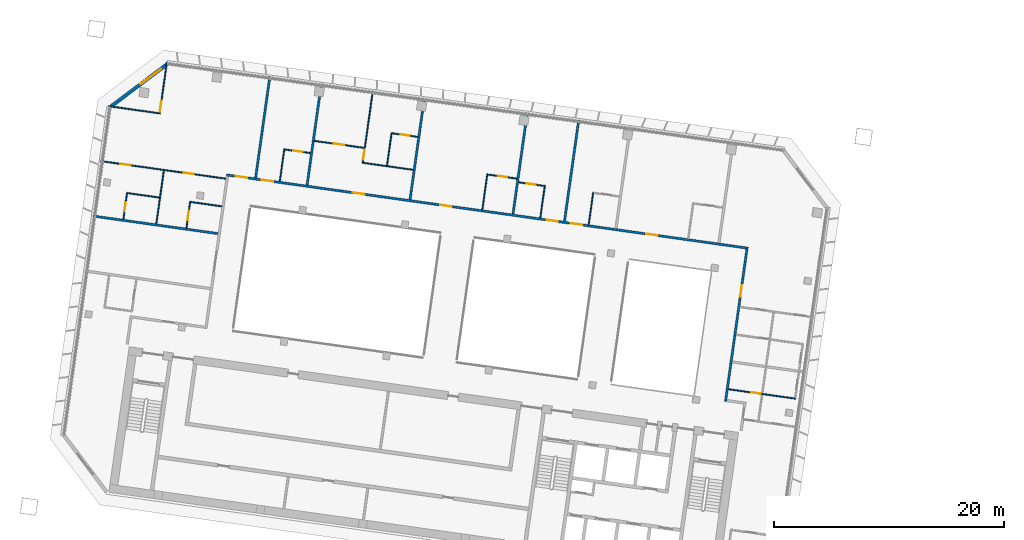
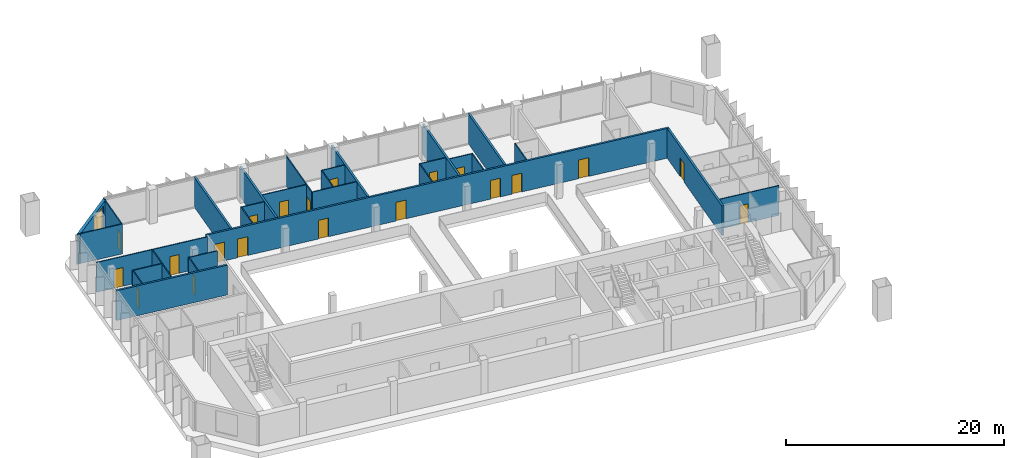
# One storey, part 17 of 26: 30 walls, 20 doors, 1 window, 21 openings.
"""IFC4 building model written with IfcOpenShell, lengths in metres."""

from ifc_helpers import new_model, si_unit, direction, frame, frame_2d, origin, place, context, subcontext, project, spatial, rectangle, extrude, material, layer, layer_set, type_object, element, fill, save


model = new_model("IFC4")

# Units and contexts
model_context = context("Model", 3, precision=1e-05, world=origin(), true_north=direction((0.0, 1.0)))
body_context = subcontext(model_context, "Body", "Model", "MODEL_VIEW")
ifc_project = project(units=[si_unit("LENGTHUNIT", "METRE"), si_unit("AREAUNIT", "SQUARE_METRE"), si_unit("VOLUMEUNIT", "CUBIC_METRE"), si_unit("PLANEANGLEUNIT", "RADIAN"), si_unit("MASSUNIT", "GRAM", prefix="KILO")], contexts=[model_context])

# Site, building, storey
site_placement = place(None, origin())
site = spatial("IfcSite", under=ifc_project, at=site_placement, CompositionType="ELEMENT")
building_placement = place(site_placement, origin())
building = spatial("IfcBuilding", under=site, at=building_placement, Name="Mirante Cascada Hotel Towers", CompositionType="ELEMENT")
storey_placement = place(building_placement, frame((0.0, 0.0, 168.8)))
storey = spatial("IfcBuildingStorey", under=building, at=storey_placement, Name="L39", CompositionType="ELEMENT", Elevation=168.8)

# Wall
ifc_material_1 = material(Name="Fire-rated plasterboard on metal studs")
ifc_layer_1 = layer(ifc_material_1, 0.2)
ifc_layer_set_1 = layer_set([ifc_layer_1], Name="Compartment wall 200 EI 120")
wall_type_1 = type_object("IfcWallType", Name="Compartment wall 200 EI 120", PredefinedType="PARTITIONING", material=ifc_layer_set_1)
wall_1_placement = place(storey_placement, frame((-91.7142, 11.5542, 0.0), z_axis=(0.0, 0.0, 1.0), x_axis=(0.990268, -0.1391733, 0.0)))
element("IfcWall", 1, at=wall_1_placement, inside=storey, type_object=wall_type_1, Name="Wall 1-L39-11", PredefinedType="PARTITIONING", context=body_context, shape_type="SweptSolid", body=[
    extrude(rectangle(XDim=11.0, YDim=0.2, at=frame_2d((5.5, 0.0))), origin(), (0.0, 0.0, 1.0), 3.35),
])

# Wall, openings, doors
wall_2_placement = place(storey_placement, frame((-80.1022, 15.1397, 0.0), z_axis=(0.0, 0.0, 1.0), x_axis=(0.9902679, -0.1391743, 0.0)))
wall_2 = element("IfcWall", 2, at=wall_2_placement, inside=storey, type_object=wall_type_1, Name="Wall 1-L39-15", PredefinedType="PARTITIONING", context=body_context, shape_type="SweptSolid", body=[
    extrude(rectangle(XDim=45.9, YDim=0.2, at=frame_2d((22.95, 0.0))), origin(), (0.0, 0.0, 1.0), 3.35),
])
opening_1_placement = place(wall_2_placement, frame((36.9314, 0.0, 0.0)))
opening_1 = element("IfcOpeningElement", 3, at=opening_1_placement, cuts=wall_2, Name="Opening D1-L39-11", PredefinedType="OPENING", context=body_context, shape_type="SweptSolid", body=[
    extrude(rectangle(XDim=1.0, YDim=2.1, at=frame_2d((0.5, 1.05))), frame((0.0, 0.1, 0.0), z_axis=(0.0, -1.0, 0.0), x_axis=(1.0, 0.0, 0.0)), (0.0, 0.0, 1.0), 0.2),
])
opening_2_placement = place(wall_2_placement, frame((30.2892, 0.0, 0.0)))
opening_2 = element("IfcOpeningElement", 4, at=opening_2_placement, cuts=wall_2, Name="Opening D1-L39-12", PredefinedType="OPENING", context=body_context, shape_type="SweptSolid", body=[
    extrude(rectangle(XDim=1.0, YDim=2.1, at=frame_2d((0.5, 1.05))), frame((0.0, 0.1, 0.0), z_axis=(0.0, -1.0, 0.0), x_axis=(1.0, 0.0, 0.0)), (0.0, 0.0, 1.0), 0.2),
])
opening_3_placement = place(wall_2_placement, frame((28.1611, 0.0, 0.0)))
opening_3 = element("IfcOpeningElement", 5, at=opening_3_placement, cuts=wall_2, Name="Opening D1-L39-13", PredefinedType="OPENING", context=body_context, shape_type="SweptSolid", body=[
    extrude(rectangle(XDim=1.0, YDim=2.1, at=frame_2d((0.5, 1.05))), frame((0.0, 0.1, 0.0), z_axis=(0.0, -1.0, 0.0), x_axis=(1.0, 0.0, 0.0)), (0.0, 0.0, 1.0), 0.2),
])
opening_4_placement = place(wall_2_placement, frame((18.8188, 0.0, 0.0)))
opening_4 = element("IfcOpeningElement", 6, at=opening_4_placement, cuts=wall_2, Name="Opening D1-L39-14", PredefinedType="OPENING", context=body_context, shape_type="SweptSolid", body=[
    extrude(rectangle(XDim=1.0, YDim=2.1, at=frame_2d((0.5, 1.05))), frame((0.0, 0.1, 0.0), z_axis=(0.0, -1.0, 0.0), x_axis=(1.0, 0.0, 0.0)), (0.0, 0.0, 1.0), 0.2),
])
opening_5_placement = place(wall_2_placement, frame((11.1125, 0.0, 0.0)))
opening_5 = element("IfcOpeningElement", 7, at=opening_5_placement, cuts=wall_2, Name="Opening D1-L39-15", PredefinedType="OPENING", context=body_context, shape_type="SweptSolid", body=[
    extrude(rectangle(XDim=1.0, YDim=2.1, at=frame_2d((0.5, 1.05))), frame((0.0, 0.1, 0.0), z_axis=(0.0, -1.0, 0.0), x_axis=(1.0, 0.0, 0.0)), (0.0, 0.0, 1.0), 0.2),
])
opening_6_placement = place(wall_2_placement, frame((3.1204, 0.0, 0.0)))
opening_6 = element("IfcOpeningElement", 8, at=opening_6_placement, cuts=wall_2, Name="Opening D1-L39-16", PredefinedType="OPENING", context=body_context, shape_type="SweptSolid", body=[
    extrude(rectangle(XDim=1.0, YDim=2.1, at=frame_2d((0.5, 1.05))), frame((0.0, 0.1, 0.0), z_axis=(0.0, -1.0, 0.0), x_axis=(1.0, 0.0, 0.0)), (0.0, 0.0, 1.0), 0.2),
])
opening_7_placement = place(wall_2_placement, frame((0.8282, 0.0, 0.0)))
opening_7 = element("IfcOpeningElement", 9, at=opening_7_placement, cuts=wall_2, Name="Opening D1-L39-17", PredefinedType="OPENING", context=body_context, shape_type="SweptSolid", body=[
    extrude(rectangle(XDim=1.0, YDim=2.1, at=frame_2d((0.5, 1.05))), frame((0.0, 0.1, 0.0), z_axis=(0.0, -1.0, 0.0), x_axis=(1.0, 0.0, 0.0)), (0.0, 0.0, 1.0), 0.2),
])
ifc_material_2 = material(Name="Fire-rated timber door leaf", Category="wood")
door_type_1 = type_object("IfcDoorType", Name="Entrance door DG1 1000x2100 EI 60", OperationType="SINGLE_SWING_LEFT", PredefinedType="DOOR", material=ifc_material_2)
door_1_placement = place(opening_1_placement, origin())
door_1 = element("IfcDoor", 10, at=door_1_placement, inside=storey, type_object=door_type_1, Name="Door D1-L39-11", OperationType="SINGLE_SWING_LEFT", OverallHeight=2.1, OverallWidth=1.0, PredefinedType="DOOR", context=body_context, shape_type="SweptSolid", body=[
    extrude(rectangle(XDim=1.0, YDim=2.1, at=frame_2d((0.5, 1.05))), frame((0.0, 0.025, 0.0), z_axis=(0.0, -1.0, 0.0), x_axis=(1.0, 0.0, 0.0)), (0.0, 0.0, 1.0), 0.05),
])
fill(opening_1, door_1)
door_2_placement = place(opening_2_placement, origin())
door_2 = element("IfcDoor", 11, at=door_2_placement, inside=storey, type_object=door_type_1, Name="Door D1-L39-12", OperationType="SINGLE_SWING_LEFT", OverallHeight=2.1, OverallWidth=1.0, PredefinedType="DOOR", context=body_context, shape_type="SweptSolid", body=[
    extrude(rectangle(XDim=1.0, YDim=2.1, at=frame_2d((0.5, 1.05))), frame((0.0, 0.025, 0.0), z_axis=(0.0, -1.0, 0.0), x_axis=(1.0, 0.0, 0.0)), (0.0, 0.0, 1.0), 0.05),
])
fill(opening_2, door_2)
door_3_placement = place(opening_3_placement, origin())
door_3 = element("IfcDoor", 12, at=door_3_placement, inside=storey, type_object=door_type_1, Name="Door D1-L39-13", OperationType="SINGLE_SWING_LEFT", OverallHeight=2.1, OverallWidth=1.0, PredefinedType="DOOR", context=body_context, shape_type="SweptSolid", body=[
    extrude(rectangle(XDim=1.0, YDim=2.1, at=frame_2d((0.5, 1.05))), frame((0.0, 0.025, 0.0), z_axis=(0.0, -1.0, 0.0), x_axis=(1.0, 0.0, 0.0)), (0.0, 0.0, 1.0), 0.05),
])
fill(opening_3, door_3)
door_4_placement = place(opening_4_placement, origin())
door_4 = element("IfcDoor", 13, at=door_4_placement, inside=storey, type_object=door_type_1, Name="Door D1-L39-14", OperationType="SINGLE_SWING_LEFT", OverallHeight=2.1, OverallWidth=1.0, PredefinedType="DOOR", context=body_context, shape_type="SweptSolid", body=[
    extrude(rectangle(XDim=1.0, YDim=2.1, at=frame_2d((0.5, 1.05))), frame((0.0, 0.025, 0.0), z_axis=(0.0, -1.0, 0.0), x_axis=(1.0, 0.0, 0.0)), (0.0, 0.0, 1.0), 0.05),
])
fill(opening_4, door_4)
door_5_placement = place(opening_5_placement, origin())
door_5 = element("IfcDoor", 14, at=door_5_placement, inside=storey, type_object=door_type_1, Name="Door D1-L39-15", OperationType="SINGLE_SWING_LEFT", OverallHeight=2.1, OverallWidth=1.0, PredefinedType="DOOR", context=body_context, shape_type="SweptSolid", body=[
    extrude(rectangle(XDim=1.0, YDim=2.1, at=frame_2d((0.5, 1.05))), frame((0.0, 0.025, 0.0), z_axis=(0.0, -1.0, 0.0), x_axis=(1.0, 0.0, 0.0)), (0.0, 0.0, 1.0), 0.05),
])
fill(opening_5, door_5)
door_6_placement = place(opening_6_placement, origin())
door_6 = element("IfcDoor", 15, at=door_6_placement, inside=storey, type_object=door_type_1, Name="Door D1-L39-16", OperationType="SINGLE_SWING_LEFT", OverallHeight=2.1, OverallWidth=1.0, PredefinedType="DOOR", context=body_context, shape_type="SweptSolid", body=[
    extrude(rectangle(XDim=1.0, YDim=2.1, at=frame_2d((0.5, 1.05))), frame((0.0, 0.025, 0.0), z_axis=(0.0, -1.0, 0.0), x_axis=(1.0, 0.0, 0.0)), (0.0, 0.0, 1.0), 0.05),
])
fill(opening_6, door_6)
door_7_placement = place(opening_7_placement, origin())
door_7 = element("IfcDoor", 16, at=door_7_placement, inside=storey, type_object=door_type_1, Name="Door D1-L39-17", OperationType="SINGLE_SWING_LEFT", OverallHeight=2.1, OverallWidth=1.0, PredefinedType="DOOR", context=body_context, shape_type="SweptSolid", body=[
    extrude(rectangle(XDim=1.0, YDim=2.1, at=frame_2d((0.5, 1.05))), frame((0.0, 0.025, 0.0), z_axis=(0.0, -1.0, 0.0), x_axis=(1.0, 0.0, 0.0)), (0.0, 0.0, 1.0), 0.05),
])
fill(opening_7, door_7)

# Wall, opening, door
wall_3_placement = place(storey_placement, frame((-34.7618, 8.6665, 0.0), z_axis=(0.0, 0.0, 1.0), x_axis=(-0.1391789, -0.9902673, 0.0)))
wall_3 = element("IfcWall", 17, at=wall_3_placement, inside=storey, type_object=wall_type_1, Name="Wall 1-L39-29", PredefinedType="PARTITIONING", context=body_context, shape_type="SweptSolid", body=[
    extrude(rectangle(XDim=13.4, YDim=0.2, at=frame_2d((6.7, 0.0))), origin(), (0.0, 0.0, 1.0), 3.35),
])
opening_8_placement = place(wall_3_placement, frame((3.1834, 0.0, 0.0)))
opening_8 = element("IfcOpeningElement", 18, at=opening_8_placement, cuts=wall_3, Name="Opening D1-L39-28", PredefinedType="OPENING", context=body_context, shape_type="SweptSolid", body=[
    extrude(rectangle(XDim=1.0, YDim=2.1, at=frame_2d((0.5, 1.05))), frame((0.0, 0.1, 0.0), z_axis=(0.0, -1.0, 0.0), x_axis=(1.0, 0.0, 0.0)), (0.0, 0.0, 1.0), 0.2),
])
door_8_placement = place(opening_8_placement, origin())
door_8 = element("IfcDoor", 19, at=door_8_placement, inside=storey, type_object=door_type_1, Name="Door D1-L39-28", OperationType="SINGLE_SWING_LEFT", OverallHeight=2.1, OverallWidth=1.0, PredefinedType="DOOR", context=body_context, shape_type="SweptSolid", body=[
    extrude(rectangle(XDim=1.0, YDim=2.1, at=frame_2d((0.5, 1.05))), frame((0.0, 0.025, 0.0), z_axis=(0.0, -1.0, 0.0), x_axis=(1.0, 0.0, 0.0)), (0.0, 0.0, 1.0), 0.05),
])
fill(opening_8, door_8)

# Walls
wall_4_placement = place(storey_placement, frame((-50.6525, 11.1018, 0.0), z_axis=(0.0, 0.0, 1.0), x_axis=(0.1391794, 0.9902672, 0.0)))
element("IfcWall", 20, at=wall_4_placement, inside=storey, type_object=wall_type_1, Name="Wall 1-L39-34", PredefinedType="PARTITIONING", context=body_context, shape_type="SweptSolid", body=[
    extrude(rectangle(XDim=8.9, YDim=0.2, at=frame_2d((4.45, 0.0))), origin(), (0.0, 0.0, 1.0), 3.35),
])
for number, where, z_axis, x_axis, name in (
    (21, (-55.1365, 11.732, 0.0), (0.0, 0.0, 1.0), (0.13917, 0.9902685, 0.0), "Wall 1-L39-36"),
    (22, (-64.1047, 12.9924, 0.0), (0.0, 0.0, 1.0), (0.139181, 0.990267, 0.0), "Wall 1-L39-38"),
    (23, (-71.8342, 23.0661, 0.0), (0.0, 0.0, 1.0), (-0.13917, -0.9902685, 0.0), "Wall 1-L39-41"),
):
    element("IfcWall", number, at=place(storey_placement, frame(where, z_axis=z_axis, x_axis=x_axis)), inside=storey, type_object=wall_type_1, Name=name, PredefinedType="PARTITIONING", context=body_context, shape_type="SweptSolid", body=[
        extrude(rectangle(XDim=8.8999, YDim=0.2, at=frame_2d((4.45, 0.0))), origin(), (0.0, 0.0, 1.0), 3.35),
    ])
wall_5_placement = place(storey_placement, frame((-76.3182, 23.6963, 0.0), z_axis=(0.0, 0.0, 1.0), x_axis=(-0.1391794, -0.9902672, 0.0)))
element("IfcWall", 24, at=wall_5_placement, inside=storey, type_object=wall_type_1, Name="Wall 1-L39-43", PredefinedType="PARTITIONING", context=body_context, shape_type="SweptSolid", body=[
    extrude(rectangle(XDim=8.9, YDim=0.2, at=frame_2d((4.45, 0.0))), origin(), (0.0, 0.0, 1.0), 3.35),
])

# Wall, opening, door
ifc_material_3 = material(Name="Plasterboard on metal studs")
ifc_layer_2 = layer(ifc_material_3, 0.1)
ifc_layer_set_2 = layer_set([ifc_layer_2], Name="Partition 100")
wall_type_2 = type_object("IfcWallType", Name="Partition 100", PredefinedType="PARTITIONING", material=ifc_layer_set_2)
wall_6_placement = place(storey_placement, frame((-30.5135, -4.3514, 0.0), z_axis=(0.0, 0.0, 1.0), x_axis=(-0.990269, 0.1391668, 0.0)))
wall_6 = element("IfcWall", 25, at=wall_6_placement, inside=storey, type_object=wall_type_2, Name="Wall 1-L39-06", PredefinedType="PARTITIONING", context=body_context, shape_type="SweptSolid", body=[
    extrude(rectangle(XDim=5.9188, YDim=0.1, at=frame_2d((2.9594, 0.0))), origin(), (0.0, 0.0, 1.0), 3.35),
])
opening_9_placement = place(wall_6_placement, frame((3.1, 0.0, 0.0)))
opening_9 = element("IfcOpeningElement", 26, at=opening_9_placement, cuts=wall_6, Name="Opening D1-L39-05", PredefinedType="OPENING", context=body_context, shape_type="SweptSolid", body=[
    extrude(rectangle(XDim=0.8, YDim=2.1, at=frame_2d((0.4, 1.05))), frame((0.0, 0.05, 0.0), z_axis=(0.0, -1.0, 0.0), x_axis=(1.0, 0.0, 0.0)), (0.0, 0.0, 1.0), 0.1),
])
ifc_material_4 = material(Name="Timber door leaf", Category="wood")
door_type_2 = type_object("IfcDoorType", Name="Bathroom door DG4 800x2100", OperationType="SINGLE_SWING_LEFT", PredefinedType="DOOR", material=ifc_material_4)
door_9_placement = place(opening_9_placement, frame((0.8, 0.0, 0.0), z_axis=(0.0, 0.0, 1.0), x_axis=(-1.0, 0.0, 0.0)))
door_9 = element("IfcDoor", 27, at=door_9_placement, inside=storey, type_object=door_type_2, Name="Door D1-L39-05", OperationType="SINGLE_SWING_RIGHT", OverallHeight=2.1, OverallWidth=0.8, PredefinedType="DOOR", context=body_context, shape_type="SweptSolid", body=[
    extrude(rectangle(XDim=0.8, YDim=2.1, at=frame_2d((0.4, 1.05))), frame((0.0, 0.025, 0.0), z_axis=(0.0, -1.0, 0.0), x_axis=(1.0, 0.0, 0.0)), (0.0, 0.0, 1.0), 0.05),
])
fill(opening_9, door_9)

# Walls
wall_7_placement = place(storey_placement, frame((-80.4873, 12.3999, 0.0), z_axis=(0.0, 0.0, 1.0), x_axis=(-0.9902649, 0.1391957, 0.0)))
element("IfcWall", 28, at=wall_7_placement, inside=storey, type_object=wall_type_2, Name="Wall 1-L39-12", PredefinedType="PARTITIONING", context=body_context, shape_type="SweptSolid", body=[
    extrude(rectangle(XDim=2.8499, YDim=0.1, at=frame_2d((1.425, 0.0))), origin(), (0.0, 0.0, 1.0), 3.35),
])
wall_8_placement = place(storey_placement, frame((-88.8055, 13.569, 0.0), z_axis=(0.0, 0.0, 1.0), x_axis=(0.9902683, -0.1391714, 0.0)))
element("IfcWall", 29, at=wall_8_placement, inside=storey, type_object=wall_type_2, Name="Wall 1-L39-13", PredefinedType="PARTITIONING", context=body_context, shape_type="SweptSolid", body=[
    extrude(rectangle(XDim=2.9, YDim=0.1, at=frame_2d((1.45, 0.0))), origin(), (0.0, 0.0, 1.0), 3.35),
])

# Wall, openings, doors
wall_9_placement = place(storey_placement, frame((-80.1486, 14.8096, 0.0), z_axis=(0.0, 0.0, 1.0), x_axis=(-0.990268, 0.1391733, 0.0)))
wall_9 = element("IfcWall", 30, at=wall_9_placement, inside=storey, type_object=wall_type_2, Name="Wall 1-L39-14", PredefinedType="PARTITIONING", context=body_context, shape_type="SweptSolid", body=[
    extrude(rectangle(XDim=11.0, YDim=0.1, at=frame_2d((5.5, 0.0))), origin(), (0.0, 0.0, 1.0), 3.35),
])
opening_10_placement = place(wall_9_placement, frame((2.825, 0.0, 0.0)))
opening_10 = element("IfcOpeningElement", 31, at=opening_10_placement, cuts=wall_9, Name="Opening D1-L39-09", PredefinedType="OPENING", context=body_context, shape_type="SweptSolid", body=[
    extrude(rectangle(XDim=0.9, YDim=2.1, at=frame_2d((0.45, 1.05))), frame((0.0, 0.05, 0.0), z_axis=(0.0, -1.0, 0.0), x_axis=(1.0, 0.0, 0.0)), (0.0, 0.0, 1.0), 0.1),
])
opening_11_placement = place(wall_9_placement, frame((8.375, 0.0, 0.0)))
opening_11 = element("IfcOpeningElement", 32, at=opening_11_placement, cuts=wall_9, Name="Opening D1-L39-10", PredefinedType="OPENING", context=body_context, shape_type="SweptSolid", body=[
    extrude(rectangle(XDim=0.9, YDim=2.1, at=frame_2d((0.45, 1.05))), frame((0.0, 0.05, 0.0), z_axis=(0.0, -1.0, 0.0), x_axis=(1.0, 0.0, 0.0)), (0.0, 0.0, 1.0), 0.1),
])
ifc_material_5 = material(Name="Timber door leaf", Category="wood")
door_type_3 = type_object("IfcDoorType", Name="Room door DG3 900x2100", OperationType="SINGLE_SWING_LEFT", PredefinedType="DOOR", material=ifc_material_5)
door_10_placement = place(opening_10_placement, frame((0.9, 0.0, 0.0), z_axis=(0.0, 0.0, 1.0), x_axis=(-1.0, 0.0, 0.0)))
door_10 = element("IfcDoor", 33, at=door_10_placement, inside=storey, type_object=door_type_3, Name="Door D1-L39-09", OperationType="SINGLE_SWING_RIGHT", OverallHeight=2.1, OverallWidth=0.9, PredefinedType="DOOR", context=body_context, shape_type="SweptSolid", body=[
    extrude(rectangle(XDim=0.9, YDim=2.1, at=frame_2d((0.45, 1.05))), frame((0.0, 0.025, 0.0), z_axis=(0.0, -1.0, 0.0), x_axis=(1.0, 0.0, 0.0)), (0.0, 0.0, 1.0), 0.05),
])
fill(opening_10, door_10)
door_11_placement = place(opening_11_placement, frame((0.9, 0.0, 0.0), z_axis=(0.0, 0.0, 1.0), x_axis=(-1.0, 0.0, 0.0)))
door_11 = element("IfcDoor", 34, at=door_11_placement, inside=storey, type_object=door_type_3, Name="Door D1-L39-10", OperationType="SINGLE_SWING_RIGHT", OverallHeight=2.1, OverallWidth=0.9, PredefinedType="DOOR", context=body_context, shape_type="SweptSolid", body=[
    extrude(rectangle(XDim=0.9, YDim=2.1, at=frame_2d((0.45, 1.05))), frame((0.0, 0.025, 0.0), z_axis=(0.0, -1.0, 0.0), x_axis=(1.0, 0.0, 0.0)), (0.0, 0.0, 1.0), 0.05),
])
fill(opening_11, door_11)

# Wall
wall_10_placement = place(storey_placement, frame((-63.8418, 15.581, 0.0), z_axis=(0.0, 0.0, 1.0), x_axis=(-0.9902685, 0.1391698, 0.0)))
element("IfcWall", 35, at=wall_10_placement, inside=storey, type_object=wall_type_2, Name="Wall 1-L39-16", PredefinedType="PARTITIONING", context=body_context, shape_type="SweptSolid", body=[
    extrude(rectangle(XDim=4.3781, YDim=0.1, at=frame_2d((2.189, 0.0))), origin(), (0.0, 0.0, 1.0), 3.35),
])

# Wall, opening, door
wall_11_placement = place(storey_placement, frame((-52.4197, 14.1777, 0.0), z_axis=(0.0, 0.0, 1.0), x_axis=(-0.9902705, 0.1391561, 0.0)))
wall_11 = element("IfcWall", 36, at=wall_11_placement, inside=storey, type_object=wall_type_2, Name="Wall 1-L39-18", PredefinedType="PARTITIONING", context=body_context, shape_type="SweptSolid", body=[
    extrude(rectangle(XDim=2.25, YDim=0.1, at=frame_2d((1.125, 0.0))), origin(), (0.0, 0.0, 1.0), 3.35),
])
opening_12_placement = place(wall_11_placement, frame((0.75, 0.0, 0.0)))
opening_12 = element("IfcOpeningElement", 37, at=opening_12_placement, cuts=wall_11, Name="Opening D1-L39-19", PredefinedType="OPENING", context=body_context, shape_type="SweptSolid", body=[
    extrude(rectangle(XDim=0.8, YDim=2.1, at=frame_2d((0.4, 1.05))), frame((0.0, 0.05, 0.0), z_axis=(0.0, -1.0, 0.0), x_axis=(1.0, 0.0, 0.0)), (0.0, 0.0, 1.0), 0.1),
])
door_12_placement = place(opening_12_placement, frame((0.8, 0.0, 0.0), z_axis=(0.0, 0.0, 1.0), x_axis=(-1.0, 0.0, 0.0)))
door_12 = element("IfcDoor", 38, at=door_12_placement, inside=storey, type_object=door_type_2, Name="Door D1-L39-19", OperationType="SINGLE_SWING_RIGHT", OverallHeight=2.1, OverallWidth=0.8, PredefinedType="DOOR", context=body_context, shape_type="SweptSolid", body=[
    extrude(rectangle(XDim=0.8, YDim=2.1, at=frame_2d((0.4, 1.05))), frame((0.0, 0.025, 0.0), z_axis=(0.0, -1.0, 0.0), x_axis=(1.0, 0.0, 0.0)), (0.0, 0.0, 1.0), 0.05),
])
fill(opening_12, door_12)

wall_12_placement = place(storey_placement, frame((-75.0103, 17.3526, 0.0), z_axis=(0.0, 0.0, 1.0), x_axis=(0.9902643, -0.1391997, 0.0)))
wall_12 = element("IfcWall", 39, at=wall_12_placement, inside=storey, type_object=wall_type_2, Name="Wall 1-L39-19", PredefinedType="PARTITIONING", context=body_context, shape_type="SweptSolid", body=[
    extrude(rectangle(XDim=2.25, YDim=0.1, at=frame_2d((1.125, 0.0))), origin(), (0.0, 0.0, 1.0), 3.35),
])
opening_13_placement = place(wall_12_placement, frame((0.75, 0.0, 0.0)))
opening_13 = element("IfcOpeningElement", 40, at=opening_13_placement, cuts=wall_12, Name="Opening D1-L39-20", PredefinedType="OPENING", context=body_context, shape_type="SweptSolid", body=[
    extrude(rectangle(XDim=0.8, YDim=2.1, at=frame_2d((0.4, 1.05))), frame((0.0, 0.05, 0.0), z_axis=(0.0, -1.0, 0.0), x_axis=(1.0, 0.0, 0.0)), (0.0, 0.0, 1.0), 0.1),
])
door_13_placement = place(opening_13_placement, origin())
door_13 = element("IfcDoor", 41, at=door_13_placement, inside=storey, type_object=door_type_2, Name="Door D1-L39-20", OperationType="SINGLE_SWING_LEFT", OverallHeight=2.1, OverallWidth=0.8, PredefinedType="DOOR", context=body_context, shape_type="SweptSolid", body=[
    extrude(rectangle(XDim=0.8, YDim=2.1, at=frame_2d((0.4, 1.05))), frame((0.0, 0.025, 0.0), z_axis=(0.0, -1.0, 0.0), x_axis=(1.0, 0.0, 0.0)), (0.0, 0.0, 1.0), 0.05),
])
fill(opening_13, door_13)

wall_13_placement = place(storey_placement, frame((-57.3293, 15.1706, 0.0), z_axis=(0.0, 0.0, 1.0), x_axis=(0.9902677, -0.1391755, 0.0)))
wall_13 = element("IfcWall", 42, at=wall_13_placement, inside=storey, type_object=wall_type_2, Name="Wall 1-L39-21", PredefinedType="PARTITIONING", context=body_context, shape_type="SweptSolid", body=[
    extrude(rectangle(XDim=2.55, YDim=0.1, at=frame_2d((1.275, 0.0))), origin(), (0.0, 0.0, 1.0), 3.35),
])
opening_14_placement = place(wall_13_placement, frame((0.9, 0.0, 0.0)))
opening_14 = element("IfcOpeningElement", 43, at=opening_14_placement, cuts=wall_13, Name="Opening D1-L39-22", PredefinedType="OPENING", context=body_context, shape_type="SweptSolid", body=[
    extrude(rectangle(XDim=0.8, YDim=2.1, at=frame_2d((0.4, 1.05))), frame((0.0, 0.05, 0.0), z_axis=(0.0, -1.0, 0.0), x_axis=(1.0, 0.0, 0.0)), (0.0, 0.0, 1.0), 0.1),
])
door_14_placement = place(opening_14_placement, origin())
door_14 = element("IfcDoor", 44, at=door_14_placement, inside=storey, type_object=door_type_2, Name="Door D1-L39-22", OperationType="SINGLE_SWING_LEFT", OverallHeight=2.1, OverallWidth=0.8, PredefinedType="DOOR", context=body_context, shape_type="SweptSolid", body=[
    extrude(rectangle(XDim=0.8, YDim=2.1, at=frame_2d((0.4, 1.05))), frame((0.0, 0.025, 0.0), z_axis=(0.0, -1.0, 0.0), x_axis=(1.0, 0.0, 0.0)), (0.0, 0.0, 1.0), 0.05),
])
fill(opening_14, door_14)

wall_14_placement = place(storey_placement, frame((-68.0954, 17.4916, 0.0), z_axis=(0.0, 0.0, 1.0), x_axis=(-0.990269, 0.1391666, 0.0)))
wall_14 = element("IfcWall", 45, at=wall_14_placement, inside=storey, type_object=wall_type_2, Name="Wall 1-L39-22", PredefinedType="PARTITIONING", context=body_context, shape_type="SweptSolid", body=[
    extrude(rectangle(XDim=4.3782, YDim=0.1, at=frame_2d((2.1891, 0.0))), origin(), (0.0, 0.0, 1.0), 3.35),
])
opening_15_placement = place(wall_14_placement, frame((1.7641, 0.0, 0.0)))
opening_15 = element("IfcOpeningElement", 46, at=opening_15_placement, cuts=wall_14, Name="Opening D1-L39-23", PredefinedType="OPENING", context=body_context, shape_type="SweptSolid", body=[
    extrude(rectangle(XDim=0.9, YDim=2.1, at=frame_2d((0.45, 1.05))), frame((0.0, 0.05, 0.0), z_axis=(0.0, -1.0, 0.0), x_axis=(1.0, 0.0, 0.0)), (0.0, 0.0, 1.0), 0.1),
])
door_15_placement = place(opening_15_placement, origin())
door_15 = element("IfcDoor", 47, at=door_15_placement, inside=storey, type_object=door_type_3, Name="Door D1-L39-23", OperationType="SINGLE_SWING_LEFT", OverallHeight=2.1, OverallWidth=0.9, PredefinedType="DOOR", context=body_context, shape_type="SweptSolid", body=[
    extrude(rectangle(XDim=0.9, YDim=2.1, at=frame_2d((0.45, 1.05))), frame((0.0, 0.025, 0.0), z_axis=(0.0, -1.0, 0.0), x_axis=(1.0, 0.0, 0.0)), (0.0, 0.0, 1.0), 0.05),
])
fill(opening_15, door_15)

# Wall
wall_15_placement = place(storey_placement, frame((-90.3689, 21.1268, 0.0), z_axis=(0.0, 0.0, 1.0), x_axis=(0.9902691, -0.1391656, 0.0)))
element("IfcWall", 48, at=wall_15_placement, inside=storey, type_object=wall_type_2, Name="Wall 1-L39-23", PredefinedType="PARTITIONING", context=body_context, shape_type="SweptSolid", body=[
    extrude(rectangle(XDim=4.55, YDim=0.1, at=frame_2d((2.275, 0.0))), origin(), (0.0, 0.0, 1.0), 3.35),
])

# Wall, opening, door
wall_16_placement = place(storey_placement, frame((-63.4382, 18.4527, 0.0), z_axis=(0.0, 0.0, 1.0), x_axis=(-0.9902643, 0.1391997, 0.0)))
wall_16 = element("IfcWall", 49, at=wall_16_placement, inside=storey, type_object=wall_type_2, Name="Wall 1-L39-24", PredefinedType="PARTITIONING", context=body_context, shape_type="SweptSolid", body=[
    extrude(rectangle(XDim=2.25, YDim=0.1, at=frame_2d((1.125, 0.0))), origin(), (0.0, 0.0, 1.0), 3.35),
])
opening_16_placement = place(wall_16_placement, frame((0.7, 0.0, 0.0)))
opening_16 = element("IfcOpeningElement", 50, at=opening_16_placement, cuts=wall_16, Name="Opening D1-L39-24", PredefinedType="OPENING", context=body_context, shape_type="SweptSolid", body=[
    extrude(rectangle(XDim=0.8, YDim=2.1, at=frame_2d((0.4, 1.05))), frame((0.0, 0.05, 0.0), z_axis=(0.0, -1.0, 0.0), x_axis=(1.0, 0.0, 0.0)), (0.0, 0.0, 1.0), 0.1),
])
door_16_placement = place(opening_16_placement, frame((0.8, 0.0, 0.0), z_axis=(0.0, 0.0, 1.0), x_axis=(-1.0, 0.0, 0.0)))
door_16 = element("IfcDoor", 51, at=door_16_placement, inside=storey, type_object=door_type_2, Name="Door D1-L39-24", OperationType="SINGLE_SWING_RIGHT", OverallHeight=2.1, OverallWidth=0.8, PredefinedType="DOOR", context=body_context, shape_type="SweptSolid", body=[
    extrude(rectangle(XDim=0.8, YDim=2.1, at=frame_2d((0.4, 1.05))), frame((0.0, 0.025, 0.0), z_axis=(0.0, -1.0, 0.0), x_axis=(1.0, 0.0, 0.0)), (0.0, 0.0, 1.0), 0.05),
])
fill(opening_16, door_16)

# Walls
for number, where, z_axis, x_axis, name in (
    (52, (-48.1483, 13.6279, 0.0), (0.0, 0.0, 1.0), (-0.1391909, -0.9902656, 0.0), "Wall 1-L39-33"),
    (53, (-52.3632, 14.2202, 0.0), (0.0, 0.0, 1.0), (-0.1391909, -0.9902656, 0.0), "Wall 1-L39-35"),
):
    element("IfcWall", number, at=place(storey_placement, frame(where, z_axis=z_axis, x_axis=x_axis)), inside=storey, type_object=wall_type_2, Name=name, PredefinedType="PARTITIONING", context=body_context, shape_type="SweptSolid", body=[
        extrude(rectangle(XDim=2.85, YDim=0.1, at=frame_2d((1.425, 0.0))), origin(), (0.0, 0.0, 1.0), 3.35),
    ])
wall_17_placement = place(storey_placement, frame((-57.3718, 15.2271, 0.0), z_axis=(0.0, 0.0, 1.0), x_axis=(-0.1391721, -0.9902682, 0.0)))
element("IfcWall", 54, at=wall_17_placement, inside=storey, type_object=wall_type_2, Name="Wall 1-L39-37", PredefinedType="PARTITIONING", context=body_context, shape_type="SweptSolid", body=[
    extrude(rectangle(XDim=3.1501, YDim=0.1, at=frame_2d((1.575, 0.0))), origin(), (0.0, 0.0, 1.0), 3.35),
])
wall_18_placement = place(storey_placement, frame((-65.7089, 18.8224, 0.0), z_axis=(0.0, 0.0, 1.0), x_axis=(-0.1391714, -0.9902683, 0.0)))
element("IfcWall", 55, at=wall_18_placement, inside=storey, type_object=wall_type_2, Name="Wall 1-L39-39", PredefinedType="PARTITIONING", context=body_context, shape_type="SweptSolid", body=[
    extrude(rectangle(XDim=2.9, YDim=0.1, at=frame_2d((1.45, 0.0))), origin(), (0.0, 0.0, 1.0), 3.35),
])

# Wall, opening, door
wall_19_placement = place(storey_placement, frame((-68.2338, 16.1477, 0.0), z_axis=(0.0, 0.0, 1.0), x_axis=(0.1391656, 0.9902691, 0.0)))
wall_19 = element("IfcWall", 56, at=wall_19_placement, inside=storey, type_object=wall_type_2, Name="Wall 1-L39-40", PredefinedType="PARTITIONING", context=body_context, shape_type="SweptSolid", body=[
    extrude(rectangle(XDim=6.35, YDim=0.1, at=frame_2d((3.175, 0.0))), origin(), (0.0, 0.0, 1.0), 3.35),
])
opening_17_placement = place(wall_19_placement, frame((0.3, 0.0, 0.0)))
opening_17 = element("IfcOpeningElement", 57, at=opening_17_placement, cuts=wall_19, Name="Opening D1-L39-29", PredefinedType="OPENING", context=body_context, shape_type="SweptSolid", body=[
    extrude(rectangle(XDim=0.9, YDim=2.1, at=frame_2d((0.45, 1.05))), frame((0.0, 0.05, 0.0), z_axis=(0.0, -1.0, 0.0), x_axis=(1.0, 0.0, 0.0)), (0.0, 0.0, 1.0), 0.1),
])
door_17_placement = place(opening_17_placement, origin())
door_17 = element("IfcDoor", 58, at=door_17_placement, inside=storey, type_object=door_type_3, Name="Door D1-L39-29", OperationType="SINGLE_SWING_LEFT", OverallHeight=2.1, OverallWidth=0.9, PredefinedType="DOOR", context=body_context, shape_type="SweptSolid", body=[
    extrude(rectangle(XDim=0.9, YDim=2.1, at=frame_2d((0.45, 1.05))), frame((0.0, 0.025, 0.0), z_axis=(0.0, -1.0, 0.0), x_axis=(1.0, 0.0, 0.0)), (0.0, 0.0, 1.0), 0.05),
])
fill(opening_17, door_17)

# Wall
wall_20_placement = place(storey_placement, frame((-75.4495, 14.5868, 0.0), z_axis=(0.0, 0.0, 1.0), x_axis=(0.1391957, 0.9902649, 0.0)))
element("IfcWall", 59, at=wall_20_placement, inside=storey, type_object=wall_type_2, Name="Wall 1-L39-42", PredefinedType="PARTITIONING", context=body_context, shape_type="SweptSolid", body=[
    extrude(rectangle(XDim=2.8499, YDim=0.1, at=frame_2d((1.425, 0.0))), origin(), (0.0, 0.0, 1.0), 3.35),
])

# Wall, opening, door
wall_21_placement = place(storey_placement, frame((-83.267, 12.7401, 0.0), z_axis=(0.0, 0.0, 1.0), x_axis=(-0.1391561, -0.9902705, 0.0)))
wall_21 = element("IfcWall", 60, at=wall_21_placement, inside=storey, type_object=wall_type_2, Name="Wall 1-L39-45", PredefinedType="PARTITIONING", context=body_context, shape_type="SweptSolid", body=[
    extrude(rectangle(XDim=2.25, YDim=0.1, at=frame_2d((1.125, 0.0))), origin(), (0.0, 0.0, 1.0), 3.35),
])
opening_18_placement = place(wall_21_placement, frame((0.75, 0.0, 0.0)))
opening_18 = element("IfcOpeningElement", 61, at=opening_18_placement, cuts=wall_21, Name="Opening D1-L39-31", PredefinedType="OPENING", context=body_context, shape_type="SweptSolid", body=[
    extrude(rectangle(XDim=0.8, YDim=2.1, at=frame_2d((0.4, 1.05))), frame((0.0, 0.05, 0.0), z_axis=(0.0, -1.0, 0.0), x_axis=(1.0, 0.0, 0.0)), (0.0, 0.0, 1.0), 0.1),
])
door_18_placement = place(opening_18_placement, origin())
door_18 = element("IfcDoor", 62, at=door_18_placement, inside=storey, type_object=door_type_2, Name="Door D1-L39-31", OperationType="SINGLE_SWING_LEFT", OverallHeight=2.1, OverallWidth=0.8, PredefinedType="DOOR", context=body_context, shape_type="SweptSolid", body=[
    extrude(rectangle(XDim=0.8, YDim=2.1, at=frame_2d((0.4, 1.05))), frame((0.0, 0.025, 0.0), z_axis=(0.0, -1.0, 0.0), x_axis=(1.0, 0.0, 0.0)), (0.0, 0.0, 1.0), 0.05),
])
fill(opening_18, door_18)

# Wall
wall_22_placement = place(storey_placement, frame((-86.2043, 10.8808, 0.0), z_axis=(0.0, 0.0, 1.0), x_axis=(0.139173, 0.9902681, 0.0)))
element("IfcWall", 63, at=wall_22_placement, inside=storey, type_object=wall_type_2, Name="Wall 1-L39-46", PredefinedType="PARTITIONING", context=body_context, shape_type="SweptSolid", body=[
    extrude(rectangle(XDim=4.6834, YDim=0.1, at=frame_2d((2.3417, 0.0))), origin(), (0.0, 0.0, 1.0), 3.35),
])

# Wall, opening, door
wall_23_placement = place(storey_placement, frame((-85.2864, 24.9567, 0.0), z_axis=(0.0, 0.0, 1.0), x_axis=(-0.1391684, -0.9902687, 0.0)))
wall_23 = element("IfcWall", 64, at=wall_23_placement, inside=storey, type_object=wall_type_2, Name="Wall 1-L39-49", PredefinedType="PARTITIONING", context=body_context, shape_type="SweptSolid", body=[
    extrude(rectangle(XDim=4.45, YDim=0.1, at=frame_2d((2.225, 0.0))), origin(), (0.0, 0.0, 1.0), 3.35),
])
opening_19_placement = place(wall_23_placement, frame((3.45, 0.0, 0.0)))
opening_19 = element("IfcOpeningElement", 65, at=opening_19_placement, cuts=wall_23, Name="Opening D1-L39-33", PredefinedType="OPENING", context=body_context, shape_type="SweptSolid", body=[
    extrude(rectangle(XDim=0.9, YDim=2.1, at=frame_2d((0.45, 1.05))), frame((0.0, 0.05, 0.0), z_axis=(0.0, -1.0, 0.0), x_axis=(1.0, 0.0, 0.0)), (0.0, 0.0, 1.0), 0.1),
])
door_19_placement = place(opening_19_placement, origin())
door_19 = element("IfcDoor", 66, at=door_19_placement, inside=storey, type_object=door_type_3, Name="Door D1-L39-33", OperationType="SINGLE_SWING_LEFT", OverallHeight=2.1, OverallWidth=0.9, PredefinedType="DOOR", context=body_context, shape_type="SweptSolid", body=[
    extrude(rectangle(XDim=0.9, YDim=2.1, at=frame_2d((0.45, 1.05))), frame((0.0, 0.025, 0.0), z_axis=(0.0, -1.0, 0.0), x_axis=(1.0, 0.0, 0.0)), (0.0, 0.0, 1.0), 0.05),
])
fill(opening_19, door_19)

wall_24_placement = place(storey_placement, frame((-89.0761, 11.2844, 0.0), z_axis=(0.0, 0.0, 1.0), x_axis=(0.1391561, 0.9902705, 0.0)))
wall_24 = element("IfcWall", 67, at=wall_24_placement, inside=storey, type_object=wall_type_2, Name="Wall 1-L39-50", PredefinedType="PARTITIONING", context=body_context, shape_type="SweptSolid", body=[
    extrude(rectangle(XDim=2.25, YDim=0.1, at=frame_2d((1.125, 0.0))), origin(), (0.0, 0.0, 1.0), 3.35),
])
opening_20_placement = place(wall_24_placement, frame((0.7, 0.0, 0.0)))
opening_20 = element("IfcOpeningElement", 68, at=opening_20_placement, cuts=wall_24, Name="Opening D1-L39-34", PredefinedType="OPENING", context=body_context, shape_type="SweptSolid", body=[
    extrude(rectangle(XDim=0.8, YDim=2.1, at=frame_2d((0.4, 1.05))), frame((0.0, 0.05, 0.0), z_axis=(0.0, -1.0, 0.0), x_axis=(1.0, 0.0, 0.0)), (0.0, 0.0, 1.0), 0.1),
])
door_20_placement = place(opening_20_placement, frame((0.8, 0.0, 0.0), z_axis=(0.0, 0.0, 1.0), x_axis=(-1.0, 0.0, 0.0)))
door_20 = element("IfcDoor", 69, at=door_20_placement, inside=storey, type_object=door_type_2, Name="Door D1-L39-34", OperationType="SINGLE_SWING_RIGHT", OverallHeight=2.1, OverallWidth=0.8, PredefinedType="DOOR", context=body_context, shape_type="SweptSolid", body=[
    extrude(rectangle(XDim=0.8, YDim=2.1, at=frame_2d((0.4, 1.05))), frame((0.0, 0.025, 0.0), z_axis=(0.0, -1.0, 0.0), x_axis=(1.0, 0.0, 0.0)), (0.0, 0.0, 1.0), 0.05),
])
fill(opening_20, door_20)

# Wall, opening, window
ifc_material_6 = material(Name="Precast concrete C40/50", Category="concrete")
ifc_layer_3 = layer(ifc_material_6, 0.3)
ifc_layer_set_3 = layer_set([ifc_layer_3], Name="Precast concrete C40/50 cladding wall 300")
wall_type_3 = type_object("IfcWallType", Name="Precast concrete C40/50 cladding wall 300", PredefinedType="STANDARD", material=ifc_layer_set_3)
wall_25_placement = place(storey_placement, frame((-90.1795, 21.0817, 0.0), z_axis=(0.0, 0.0, 1.0), x_axis=(0.7986362, 0.6018141, 0.0)))
wall_25 = element("IfcWall", 70, at=wall_25_placement, inside=storey, type_object=wall_type_3, Name="Corner cladding wall T1 L39 outer front", PredefinedType="STANDARD", context=body_context, shape_type="SweptSolid", body=[
    extrude(rectangle(XDim=6.1157, YDim=0.3, at=frame_2d((3.0578, 0.0))), origin(), (0.0, 0.0, 1.0), 3.35),
])
opening_21_placement = place(wall_25_placement, frame((3.2692, 0.0, 0.6)))
opening_21 = element("IfcOpeningElement", 71, at=opening_21_placement, cuts=wall_25, Name="Opening W1-39-02", PredefinedType="OPENING", context=body_context, shape_type="SweptSolid", body=[
    extrude(rectangle(XDim=2.2, YDim=2.4, at=frame_2d((1.1, 1.2))), frame((0.0, 0.15, 0.0), z_axis=(0.0, -1.0, 0.0), x_axis=(1.0, 0.0, 0.0)), (0.0, 0.0, 1.0), 0.3),
])
ifc_material_7 = material(Name="Aluminium frame with clear double glazing", Category="aluminium")
window_type = type_object("IfcWindowType", Name="Corner suite window 2200x2400", PartitioningType="DOUBLE_PANEL_VERTICAL", PredefinedType="WINDOW", material=ifc_material_7)
window_placement = place(opening_21_placement, origin())
window = element("IfcWindow", 72, at=window_placement, inside=storey, type_object=window_type, Name="Window W1-39-02", OverallHeight=2.4, OverallWidth=2.2, PartitioningType="SINGLE_PANEL", PredefinedType="WINDOW", context=body_context, shape_type="SweptSolid", body=[
    extrude(rectangle(XDim=2.2, YDim=2.4, at=frame_2d((1.1, 1.2))), frame((0.0, 0.03, 0.0), z_axis=(0.0, -1.0, 0.0), x_axis=(1.0, 0.0, 0.0)), (0.0, 0.0, 1.0), 0.06),
])
fill(opening_21, window)

save(model, "model.ifc")
